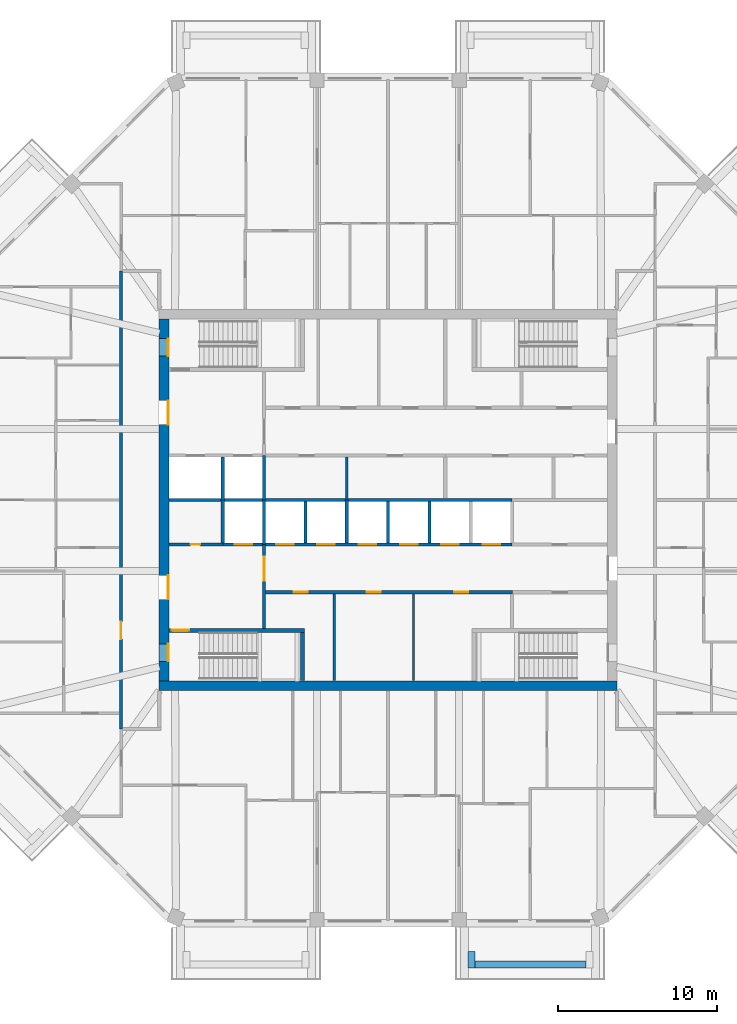
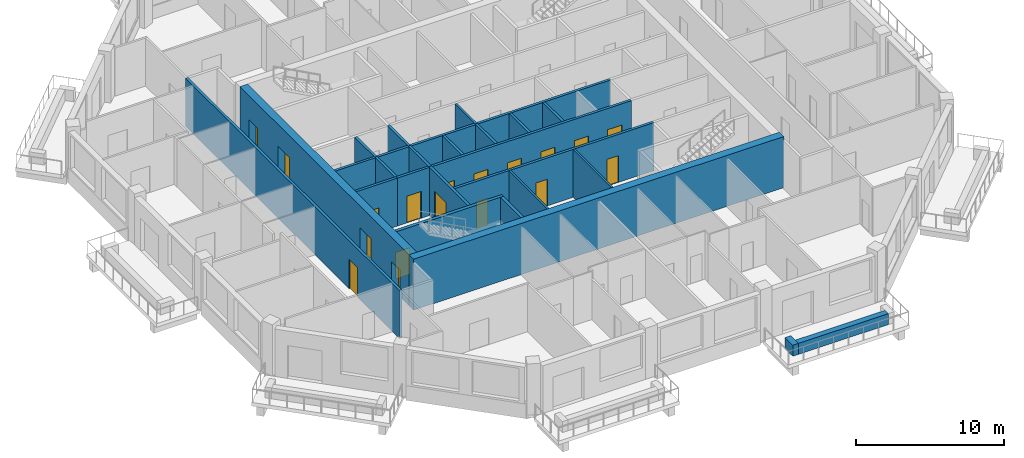
# One storey, part 4 of 12: 23 walls, 18 doors, 18 openings.
"""IFC4 building model written with IfcOpenShell, lengths in metres."""

from ifc_helpers import new_model, si_unit, direction, frame, frame_2d, origin, place, context, subcontext, project, spatial, rectangle, extrude, material, layer, layer_set, type_object, element, fill, save


model = new_model("IFC4")

# Units and contexts
model_context = context("Model", 3, precision=1e-05, world=origin(), true_north=direction((0.0, 1.0)))
body_context = subcontext(model_context, "Body", "Model", "MODEL_VIEW")
ifc_project = project(units=[si_unit("LENGTHUNIT", "METRE"), si_unit("AREAUNIT", "SQUARE_METRE"), si_unit("VOLUMEUNIT", "CUBIC_METRE"), si_unit("PLANEANGLEUNIT", "RADIAN"), si_unit("MASSUNIT", "GRAM", prefix="KILO")], contexts=[model_context])

# Site, building, storey
site_placement = place(None, origin())
site = spatial("IfcSite", under=ifc_project, at=site_placement, CompositionType="ELEMENT")
building_placement = place(site_placement, origin())
building = spatial("IfcBuilding", under=site, at=building_placement, Name="Msitu Wima Residences", CompositionType="ELEMENT")
storey_placement = place(building_placement, frame((0.0, 0.0, 255.89990234375)))
storey = spatial("IfcBuildingStorey", under=building, at=storey_placement, Name="L59", CompositionType="ELEMENT", Elevation=255.89990234375)

# Walls
ifc_material_1 = material(Name="Facing brick")
ifc_layer_1 = layer(ifc_material_1, 0.06494140625, Name="Facing brick")
ifc_material_2 = material(Name="Concrete C40/50", Category="concrete")
ifc_layer_2 = layer(ifc_material_2, 0.156005859375, Name="Concrete C40/50")
ifc_material_3 = material(Name="Waterproofing membrane")
ifc_layer_3 = layer(ifc_material_3, 0.00390625, Name="Waterproofing membrane")
ifc_material_4 = material(Name="Planting soil and planting")
ifc_layer_4 = layer(ifc_material_4, 0.22509765625, Name="Planting soil and planting")
ifc_layer_set_1 = layer_set([ifc_layer_1, ifc_layer_2, ifc_layer_3, ifc_layer_4], Name="Concrete C40/50")
wall_type_1 = type_object("IfcWallType", Name="Balcony planter PLANTER PL450", PredefinedType="USERDEFINED", material=ifc_layer_set_1)
wall_1_placement = place(storey_placement, frame((5.468505859375, -29.22509765625, 0.0), z_axis=(0.0, 0.0, 1.0), x_axis=(1.0, 0.0, 0.0)))
element("IfcWall", 1, at=wall_1_placement, inside=storey, type_object=wall_type_1, Name="Balcony planter S2 L59", ObjectType="PLANTER", PredefinedType="USERDEFINED", context=body_context, shape_type="SweptSolid", body=[
    extrude(rectangle(XDim=6.9873046875, YDim=0.449951171875, at=frame_2d((3.49365234375, 0.0))), origin(), (0.0, 0.0, 1.0), 0.900146484375),
])
wall_2_placement = place(storey_placement, frame((5.24365234375, -28.39990234375, 0.0), z_axis=(0.0, 0.0, 1.0), x_axis=(0.0, -1.0, 0.0)))
element("IfcWall", 2, at=wall_2_placement, inside=storey, type_object=wall_type_1, Name="Balcony planter S2 L59", ObjectType="PLANTER", PredefinedType="USERDEFINED", context=body_context, shape_type="SweptSolid", body=[
    extrude(rectangle(XDim=1.050048828125, YDim=0.449951171875, at=frame_2d((0.52490234375, 0.0))), origin(), (0.0, 0.0, 1.0), 0.900146484375),
])
ifc_material_5 = material(Name="Concrete C50/60", Category="concrete")
ifc_layer_5 = layer(ifc_material_5, 0.60009765625)
ifc_layer_set_2 = layer_set([ifc_layer_5], Name="Concrete C50/60")
wall_type_2 = type_object("IfcWallType", Name="Core wall CW600 C50/60", PredefinedType="SHEAR", material=ifc_layer_set_2)
wall_3_placement = place(storey_placement, frame((-14.39990234375, -11.699951171875, 0.0), z_axis=(0.0, 0.0, 1.0), x_axis=(1.0, 0.0, 0.0)))
element("IfcWall", 3, at=wall_3_placement, inside=storey, type_object=wall_type_2, Name="Core wall", PredefinedType="SHEAR", context=body_context, shape_type="SweptSolid", body=[
    extrude(rectangle(XDim=28.7998046875, YDim=0.60009765625, at=frame_2d((14.39990234375, 0.0))), origin(), (0.0, 0.0, 1.0), 4.2001953125),
])

# Wall, openings, doors
wall_4_placement = place(storey_placement, frame((-14.10009765625, -11.39990234375, 0.0), z_axis=(0.0, 0.0, 1.0), x_axis=(0.0, 1.0, 0.0)))
wall_4 = element("IfcWall", 4, at=wall_4_placement, inside=storey, type_object=wall_type_2, Name="Core wall", PredefinedType="SHEAR", context=body_context, shape_type="SweptSolid", body=[
    extrude(rectangle(XDim=22.7998046875, YDim=0.60009765625, at=frame_2d((11.39990234375, 0.0))), origin(), (0.0, 0.0, 1.0), 4.2001953125),
])
opening_1_placement = place(wall_4_placement, frame((20.449951171875, 0.0, 0.0)))
opening_1 = element("IfcOpeningElement", 5, at=opening_1_placement, cuts=wall_4, Name="Opening D57-59.084", PredefinedType="OPENING", context=body_context, shape_type="SweptSolid", body=[
    extrude(rectangle(XDim=1.10009765625, YDim=2.199951171875, at=frame_2d((0.550048828125, 1.10009765625))), frame((0.0, 0.31005859375, 0.0), z_axis=(0.0, -1.0, 0.0), x_axis=(1.0, 0.0, 0.0)), (0.0, 0.0, 1.0), 0.6201171875),
])
opening_2_placement = place(wall_4_placement, frame((1.25, 0.0, 0.0)))
opening_2 = element("IfcOpeningElement", 6, at=opening_2_placement, cuts=wall_4, Name="Opening D57-59.086", PredefinedType="OPENING", context=body_context, shape_type="SweptSolid", body=[
    extrude(rectangle(XDim=1.10009765625, YDim=2.199951171875, at=frame_2d((0.550048828125, 1.10009765625))), frame((0.0, 0.31005859375, 0.0), z_axis=(0.0, -1.0, 0.0), x_axis=(1.0, 0.0, 0.0)), (0.0, 0.0, 1.0), 0.6201171875),
])
opening_3_placement = place(wall_4_placement, frame((16.14990234375, 0.0, 0.0)))
opening_3 = element("IfcOpeningElement", 7, at=opening_3_placement, cuts=wall_4, Name="Opening D57-59.064", PredefinedType="OPENING", context=body_context, shape_type="SweptSolid", body=[
    extrude(rectangle(XDim=1.5, YDim=2.39990234375, at=frame_2d((0.75, 1.199951171875))), frame((0.0, 0.31005859375, 0.0), z_axis=(0.0, -1.0, 0.0), x_axis=(1.0, 0.0, 0.0)), (0.0, 0.0, 1.0), 0.6201171875),
])
opening_4_placement = place(wall_4_placement, frame((5.14990234375, 0.0, 0.0)))
opening_4 = element("IfcOpeningElement", 8, at=opening_4_placement, cuts=wall_4, Name="Opening D57-59.066", PredefinedType="OPENING", context=body_context, shape_type="SweptSolid", body=[
    extrude(rectangle(XDim=1.5, YDim=2.39990234375, at=frame_2d((0.75, 1.199951171875))), frame((0.0, 0.31005859375, 0.0), z_axis=(0.0, -1.0, 0.0), x_axis=(1.0, 0.0, 0.0)), (0.0, 0.0, 1.0), 0.6201171875),
])
ifc_material_6 = material(Name="Steel framed glazed door, fire resisting", Category="steel")
door_type_1 = type_object("IfcDoorType", Name="Lobby door D07 1500x2400", OperationType="DOUBLE_DOOR_SINGLE_SWING", PredefinedType="DOOR", material=ifc_material_6)
door_1_placement = place(opening_3_placement, origin())
door_1 = element("IfcDoor", 9, at=door_1_placement, inside=storey, type_object=door_type_1, Name="Lobby door", OperationType="DOUBLE_DOOR_SINGLE_SWING", OverallHeight=2.39990234375, OverallWidth=1.5, PredefinedType="DOOR", context=body_context, shape_type="SweptSolid", body=[
    extrude(rectangle(XDim=1.5, YDim=2.39990234375, at=frame_2d((0.75, 1.199951171875))), frame((0.0, -0.2451171875, 0.0), z_axis=(0.0, -1.0, 0.0), x_axis=(1.0, 0.0, 0.0)), (0.0, 0.0, 1.0), 0.050048828125),
])
fill(opening_3, door_1)
door_2_placement = place(opening_4_placement, origin())
door_2 = element("IfcDoor", 10, at=door_2_placement, inside=storey, type_object=door_type_1, Name="Lobby door", OperationType="DOUBLE_DOOR_SINGLE_SWING", OverallHeight=2.39990234375, OverallWidth=1.5, PredefinedType="DOOR", context=body_context, shape_type="SweptSolid", body=[
    extrude(rectangle(XDim=1.5, YDim=2.39990234375, at=frame_2d((0.75, 1.199951171875))), frame((0.0, -0.2451171875, 0.0), z_axis=(0.0, -1.0, 0.0), x_axis=(1.0, 0.0, 0.0)), (0.0, 0.0, 1.0), 0.050048828125),
])
fill(opening_4, door_2)
ifc_material_7 = material(Name="Steel door, fire resisting, panic bar", Category="steel")
door_type_2 = type_object("IfcDoorType", Name="Stair door D06 1100x2200", OperationType="SINGLE_SWING_LEFT", PredefinedType="DOOR", material=ifc_material_7)
door_3_placement = place(opening_1_placement, origin())
door_3 = element("IfcDoor", 11, at=door_3_placement, inside=storey, type_object=door_type_2, Name="Stair door", OperationType="SINGLE_SWING_RIGHT", OverallHeight=2.199951171875, OverallWidth=1.10009765625, PredefinedType="DOOR", context=body_context, shape_type="SweptSolid", body=[
    extrude(rectangle(XDim=1.10009765625, YDim=2.199951171875, at=frame_2d((0.550048828125, 1.10009765625))), frame((0.0, -0.2451171875, 0.0), z_axis=(0.0, -1.0, 0.0), x_axis=(1.0, 0.0, 0.0)), (0.0, 0.0, 1.0), 0.050048828125),
])
fill(opening_1, door_3)
door_4_placement = place(opening_2_placement, origin())
door_4 = element("IfcDoor", 12, at=door_4_placement, inside=storey, type_object=door_type_2, Name="Stair door", OperationType="SINGLE_SWING_LEFT", OverallHeight=2.199951171875, OverallWidth=1.10009765625, PredefinedType="DOOR", context=body_context, shape_type="SweptSolid", body=[
    extrude(rectangle(XDim=1.10009765625, YDim=2.199951171875, at=frame_2d((0.550048828125, 1.10009765625))), frame((0.0, -0.2451171875, 0.0), z_axis=(0.0, -1.0, 0.0), x_axis=(1.0, 0.0, 0.0)), (0.0, 0.0, 1.0), 0.050048828125),
])
fill(opening_2, door_4)

# Wall, opening, door
ifc_material_8 = material(Name="Plaster")
ifc_layer_6 = layer(ifc_material_8, 0.011962890625, Name="Plaster")
ifc_material_9 = material(Name="Concrete blockwork", Category="masonry")
ifc_layer_7 = layer(ifc_material_9, 0.176025390625, Name="Concrete blockwork")
ifc_layer_8 = layer(ifc_material_8, 0.011962890625, Name="Plaster")
ifc_layer_set_3 = layer_set([ifc_layer_6, ifc_layer_7, ifc_layer_8], Name="Concrete blockwork")
wall_type_3 = type_object("IfcWallType", Name="Corridor wall FW200", PredefinedType="PARTITIONING", material=ifc_layer_set_3)
wall_5_placement = place(storey_placement, frame((-16.800048828125, -14.39990234375, 0.0), z_axis=(0.0, 0.0, 1.0), x_axis=(0.0, 1.0, 0.0)))
wall_5 = element("IfcWall", 13, at=wall_5_placement, inside=storey, type_object=wall_type_3, Name="Corridor wall", PredefinedType="PARTITIONING", context=body_context, shape_type="SweptSolid", body=[
    extrude(rectangle(XDim=28.7998046875, YDim=0.199951171875, at=frame_2d((14.39990234375, 0.0))), origin(), (0.0, 0.0, 1.0), 3.9501953125),
])
opening_5_placement = place(wall_5_placement, frame((5.64990234375, 0.0, 0.0)))
opening_5 = element("IfcOpeningElement", 14, at=opening_5_placement, cuts=wall_5, Name="Opening D57-59.024", PredefinedType="OPENING", context=body_context, shape_type="SweptSolid", body=[
    extrude(rectangle(XDim=1.10009765625, YDim=2.39990234375, at=frame_2d((0.550048828125, 1.199951171875))), frame((0.0, 0.10986328125, 0.0), z_axis=(0.0, -1.0, 0.0), x_axis=(1.0, 0.0, 0.0)), (0.0, 0.0, 1.0), 0.219970703125),
])
ifc_material_10 = material(Name="Timber flush door, fire resisting, self-closing", Category="wood")
door_type_3 = type_object("IfcDoorType", Name="Flat entrance door D01 1100x2400", OperationType="SINGLE_SWING_LEFT", PredefinedType="DOOR", material=ifc_material_10)
door_5_placement = place(opening_5_placement, origin())
door_5 = element("IfcDoor", 15, at=door_5_placement, inside=storey, type_object=door_type_3, Name="Flat entrance door", OperationType="SINGLE_SWING_LEFT", OverallHeight=2.39990234375, OverallWidth=1.10009765625, PredefinedType="DOOR", context=body_context, shape_type="SweptSolid", body=[
    extrude(rectangle(XDim=1.10009765625, YDim=2.39990234375, at=frame_2d((0.550048828125, 1.199951171875))), frame((0.0, 0.02490234375, 0.0), z_axis=(0.0, -1.0, 0.0), x_axis=(1.0, 0.0, 0.0)), (0.0, 0.0, 1.0), 0.050048828125),
])
fill(opening_5, door_5)

wall_6_placement = place(storey_placement, frame((-7.800048828125, -8.074951171875, 0.0), z_axis=(0.0, 0.0, 1.0), x_axis=(0.0, 1.0, 0.0)))
wall_6 = element("IfcWall", 16, at=wall_6_placement, inside=storey, type_object=wall_type_3, Name="Corridor wall", PredefinedType="PARTITIONING", context=body_context, shape_type="SweptSolid", body=[
    extrude(rectangle(XDim=5.27490234375, YDim=0.199951171875, at=frame_2d((2.637451171875, 0.0))), origin(), (0.0, 0.0, 1.0), 3.9501953125),
])
opening_6_placement = place(wall_6_placement, frame((3.0, 0.0, 0.0)))
opening_6 = element("IfcOpeningElement", 17, at=opening_6_placement, cuts=wall_6, Name="Opening D57-59.067", PredefinedType="OPENING", context=body_context, shape_type="SweptSolid", body=[
    extrude(rectangle(XDim=1.5, YDim=2.39990234375, at=frame_2d((0.75, 1.199951171875))), frame((0.0, 0.10986328125, 0.0), z_axis=(0.0, -1.0, 0.0), x_axis=(1.0, 0.0, 0.0)), (0.0, 0.0, 1.0), 0.219970703125),
])
door_6_placement = place(opening_6_placement, origin())
door_6 = element("IfcDoor", 18, at=door_6_placement, inside=storey, type_object=door_type_1, Name="Lobby door", OperationType="DOUBLE_DOOR_SINGLE_SWING", OverallHeight=2.39990234375, OverallWidth=1.5, PredefinedType="DOOR", context=body_context, shape_type="SweptSolid", body=[
    extrude(rectangle(XDim=1.5, YDim=2.39990234375, at=frame_2d((0.75, 1.199951171875))), frame((0.0, 0.02490234375, 0.0), z_axis=(0.0, -1.0, 0.0), x_axis=(1.0, 0.0, 0.0)), (0.0, 0.0, 1.0), 0.050048828125),
])
fill(opening_6, door_6)

# Wall, openings, doors
wall_7_placement = place(storey_placement, frame((-7.699951171875, -5.800048828125, 0.0), z_axis=(0.0, 0.0, 1.0), x_axis=(1.0, 0.0, 0.0)))
wall_7 = element("IfcWall", 19, at=wall_7_placement, inside=storey, type_object=wall_type_3, Name="Corridor wall", PredefinedType="PARTITIONING", context=body_context, shape_type="SweptSolid", body=[
    extrude(rectangle(XDim=15.52001953125, YDim=0.199951171875, at=frame_2d((7.760009765625, 0.0))), origin(), (0.0, 0.0, 1.0), 3.9501953125),
])
opening_7_placement = place(wall_7_placement, frame((1.75, 0.0, 0.0)))
opening_7 = element("IfcOpeningElement", 20, at=opening_7_placement, cuts=wall_7, Name="Opening D57-59.073", PredefinedType="OPENING", context=body_context, shape_type="SweptSolid", body=[
    extrude(rectangle(XDim=0.89990234375, YDim=2.199951171875, at=frame_2d((0.449951171875, 1.10009765625))), frame((0.0, 0.10986328125, 0.0), z_axis=(0.0, -1.0, 0.0), x_axis=(1.0, 0.0, 0.0)), (0.0, 0.0, 1.0), 0.219970703125),
])
opening_8_placement = place(wall_7_placement, frame((6.35009765625, 0.0, 0.0)))
opening_8 = element("IfcOpeningElement", 21, at=opening_8_placement, cuts=wall_7, Name="Opening D57-59.074", PredefinedType="OPENING", context=body_context, shape_type="SweptSolid", body=[
    extrude(rectangle(XDim=0.89990234375, YDim=2.199951171875, at=frame_2d((0.449951171875, 1.10009765625))), frame((0.0, 0.10986328125, 0.0), z_axis=(0.0, -1.0, 0.0), x_axis=(1.0, 0.0, 0.0)), (0.0, 0.0, 1.0), 0.219970703125),
])
opening_9_placement = place(wall_7_placement, frame((11.85009765625, 0.0, 0.0)))
opening_9 = element("IfcOpeningElement", 22, at=opening_9_placement, cuts=wall_7, Name="Opening D57-59.075", PredefinedType="OPENING", context=body_context, shape_type="SweptSolid", body=[
    extrude(rectangle(XDim=0.89990234375, YDim=2.199951171875, at=frame_2d((0.449951171875, 1.10009765625))), frame((0.0, 0.10986328125, 0.0), z_axis=(0.0, -1.0, 0.0), x_axis=(1.0, 0.0, 0.0)), (0.0, 0.0, 1.0), 0.219970703125),
])
ifc_material_11 = material(Name="Timber flush door", Category="wood")
door_type_4 = type_object("IfcDoorType", Name="Service door D05 900x2200", OperationType="SINGLE_SWING_LEFT", PredefinedType="DOOR", material=ifc_material_11)
door_7_placement = place(opening_7_placement, origin())
door_7 = element("IfcDoor", 23, at=door_7_placement, inside=storey, type_object=door_type_4, Name="Service door", OperationType="SINGLE_SWING_LEFT", OverallHeight=2.199951171875, OverallWidth=0.89990234375, PredefinedType="DOOR", context=body_context, shape_type="SweptSolid", body=[
    extrude(rectangle(XDim=0.89990234375, YDim=2.199951171875, at=frame_2d((0.449951171875, 1.10009765625))), frame((0.0, 0.02490234375, 0.0), z_axis=(0.0, -1.0, 0.0), x_axis=(1.0, 0.0, 0.0)), (0.0, 0.0, 1.0), 0.050048828125),
])
fill(opening_7, door_7)
door_8_placement = place(opening_8_placement, origin())
door_8 = element("IfcDoor", 24, at=door_8_placement, inside=storey, type_object=door_type_4, Name="Service door", OperationType="SINGLE_SWING_RIGHT", OverallHeight=2.199951171875, OverallWidth=0.89990234375, PredefinedType="DOOR", context=body_context, shape_type="SweptSolid", body=[
    extrude(rectangle(XDim=0.89990234375, YDim=2.199951171875, at=frame_2d((0.449951171875, 1.10009765625))), frame((0.0, 0.02490234375, 0.0), z_axis=(0.0, -1.0, 0.0), x_axis=(1.0, 0.0, 0.0)), (0.0, 0.0, 1.0), 0.050048828125),
])
fill(opening_8, door_8)
door_9_placement = place(opening_9_placement, origin())
door_9 = element("IfcDoor", 25, at=door_9_placement, inside=storey, type_object=door_type_4, Name="Service door", OperationType="SINGLE_SWING_RIGHT", OverallHeight=2.199951171875, OverallWidth=0.89990234375, PredefinedType="DOOR", context=body_context, shape_type="SweptSolid", body=[
    extrude(rectangle(XDim=0.89990234375, YDim=2.199951171875, at=frame_2d((0.449951171875, 1.10009765625))), frame((0.0, 0.02490234375, 0.0), z_axis=(0.0, -1.0, 0.0), x_axis=(1.0, 0.0, 0.0)), (0.0, 0.0, 1.0), 0.050048828125),
])
fill(opening_9, door_9)

# Walls
ifc_layer_9 = layer(ifc_material_8, 0.011962890625, Name="Plaster")
ifc_layer_10 = layer(ifc_material_9, 0.1259765625, Name="Concrete blockwork")
ifc_layer_11 = layer(ifc_material_8, 0.011962890625, Name="Plaster")
ifc_layer_set_4 = layer_set([ifc_layer_9, ifc_layer_10, ifc_layer_11], Name="Concrete blockwork")
wall_type_4 = type_object("IfcWallType", Name="Partition PW150", PredefinedType="PARTITIONING", material=ifc_layer_set_4)
wall_8_placement = place(storey_placement, frame((-3.39990234375, -11.3701171875, 0.0), z_axis=(0.0, 0.0, 1.0), x_axis=(0.0, 1.0, 0.0)))
element("IfcWall", 26, at=wall_8_placement, inside=storey, type_object=wall_type_4, Name="Partition", PredefinedType="PARTITIONING", context=body_context, shape_type="SweptSolid", body=[
    extrude(rectangle(XDim=5.47021484375, YDim=0.14990234375, at=frame_2d((2.735107421875, 0.0))), origin(), (0.0, 0.0, 1.0), 3.9501953125),
])
wall_9_placement = place(storey_placement, frame((-2.60009765625, 0.0, 0.0), z_axis=(0.0, 0.0, 1.0), x_axis=(0.0, 1.0, 0.0)))
element("IfcWall", 27, at=wall_9_placement, inside=storey, type_object=wall_type_4, Name="Partition", PredefinedType="PARTITIONING", context=body_context, shape_type="SweptSolid", body=[
    extrude(rectangle(XDim=2.699951171875, YDim=0.14990234375, at=frame_2d((1.35009765625, 0.0))), origin(), (0.0, 0.0, 1.0), 3.9501953125),
])
wall_10_placement = place(storey_placement, frame((1.60009765625, -11.3701171875, 0.0), z_axis=(0.0, 0.0, 1.0), x_axis=(0.0, 1.0, 0.0)))
element("IfcWall", 28, at=wall_10_placement, inside=storey, type_object=wall_type_4, Name="Partition", PredefinedType="PARTITIONING", context=body_context, shape_type="SweptSolid", body=[
    extrude(rectangle(XDim=5.47021484375, YDim=0.14990234375, at=frame_2d((2.735107421875, 0.0))), origin(), (0.0, 0.0, 1.0), 3.9501953125),
])

# Wall, opening, door
ifc_layer_12 = layer(ifc_material_8, 0.011962890625, Name="Plaster")
ifc_material_12 = material(Name="Reinforced concrete blockwork", Category="masonry")
ifc_layer_13 = layer(ifc_material_12, 0.176025390625, Name="Reinforced concrete blockwork")
ifc_layer_14 = layer(ifc_material_8, 0.011962890625, Name="Plaster")
ifc_layer_set_5 = layer_set([ifc_layer_12, ifc_layer_13, ifc_layer_14], Name="Reinforced concrete blockwork")
wall_type_5 = type_object("IfcWallType", Name="Plant and riser wall PL200", PredefinedType="PARTITIONING", material=ifc_layer_set_5)
wall_11_placement = place(storey_placement, frame((-13.77001953125, -2.800048828125, 0.0), z_axis=(0.0, 0.0, 1.0), x_axis=(1.0, 0.0, 0.0)))
wall_11 = element("IfcWall", 29, at=wall_11_placement, inside=storey, type_object=wall_type_5, Name="Plant and riser wall", PredefinedType="PARTITIONING", context=body_context, shape_type="SweptSolid", body=[
    extrude(rectangle(XDim=3.3701171875, YDim=0.199951171875, at=frame_2d((1.68505859375, 0.0))), origin(), (0.0, 0.0, 1.0), 3.9501953125),
])
opening_10_placement = place(wall_11_placement, frame((1.35009765625, 0.0, 0.0)))
opening_10 = element("IfcOpeningElement", 30, at=opening_10_placement, cuts=wall_11, Name="Opening D57-59.083", PredefinedType="OPENING", context=body_context, shape_type="SweptSolid", body=[
    extrude(rectangle(XDim=0.60009765625, YDim=2.0, at=frame_2d((0.300048828125, 1.0))), frame((0.0, 0.10986328125, 0.0), z_axis=(0.0, -1.0, 0.0), x_axis=(1.0, 0.0, 0.0)), (0.0, 0.0, 1.0), 0.219970703125),
])
ifc_material_13 = material(Name="Steel access door, fire resisting", Category="steel")
door_type_5 = type_object("IfcDoorType", Name="Riser access door D08 600x2000", OperationType="SINGLE_SWING_LEFT", PredefinedType="DOOR", material=ifc_material_13)
door_10_placement = place(opening_10_placement, origin())
door_10 = element("IfcDoor", 31, at=door_10_placement, inside=storey, type_object=door_type_5, Name="Riser access door", OperationType="SINGLE_SWING_RIGHT", OverallHeight=2.0, OverallWidth=0.60009765625, PredefinedType="DOOR", context=body_context, shape_type="SweptSolid", body=[
    extrude(rectangle(XDim=0.60009765625, YDim=2.0, at=frame_2d((0.300048828125, 1.0))), frame((0.0, 0.02490234375, 0.0), z_axis=(0.0, -1.0, 0.0), x_axis=(1.0, 0.0, 0.0)), (0.0, 0.0, 1.0), 0.050048828125),
])
fill(opening_10, door_10)

# Walls
ifc_material_14 = material(Name="Fire-rated board")
ifc_layer_15 = layer(ifc_material_14, 0.02490234375, Name="Fire-rated board")
ifc_material_15 = material(Name="Light-gauge stud framing with mineral wool")
ifc_layer_16 = layer(ifc_material_15, 0.14990234375, Name="Light-gauge stud framing with mineral wool")
ifc_layer_17 = layer(ifc_material_14, 0.02490234375, Name="Fire-rated board")
ifc_layer_set_6 = layer_set([ifc_layer_15, ifc_layer_16, ifc_layer_17], Name="Light-gauge stud framing with mineral wool")
wall_type_6 = type_object("IfcWallType", Name="Shaft wall SH200", PredefinedType="PARTITIONING", material=ifc_layer_set_6)
wall_12_placement = place(storey_placement, frame((-13.77001953125, 0.0, 0.0), z_axis=(0.0, 0.0, 1.0), x_axis=(1.0, 0.0, 0.0)))
element("IfcWall", 32, at=wall_12_placement, inside=storey, type_object=wall_type_6, Name="Shaft wall", PredefinedType="PARTITIONING", context=body_context, shape_type="SweptSolid", body=[
    extrude(rectangle(XDim=21.570068359375, YDim=0.199951171875, at=frame_2d((10.78515625, 0.0))), origin(), (0.0, 0.0, 1.0), 3.9501953125),
])
wall_13_placement = place(storey_placement, frame((-10.39990234375, -2.699951171875, 0.0), z_axis=(0.0, 0.0, 1.0), x_axis=(0.0, 1.0, 0.0)))
element("IfcWall", 33, at=wall_13_placement, inside=storey, type_object=wall_type_6, Name="Shaft wall", PredefinedType="PARTITIONING", context=body_context, shape_type="SweptSolid", body=[
    extrude(rectangle(XDim=2.699951171875, YDim=0.199951171875, at=frame_2d((1.35009765625, 0.0))), origin(), (0.0, 0.0, 1.0), 3.9501953125),
])

# Wall, openings, doors
wall_14_placement = place(storey_placement, frame((-10.39990234375, -2.800048828125, 0.0), z_axis=(0.0, 0.0, 1.0), x_axis=(1.0, 0.0, 0.0)))
wall_14 = element("IfcWall", 34, at=wall_14_placement, inside=storey, type_object=wall_type_6, Name="Shaft wall", PredefinedType="PARTITIONING", context=body_context, shape_type="SweptSolid", body=[
    extrude(rectangle(XDim=18.199951171875, YDim=0.199951171875, at=frame_2d((9.10009765625, 0.0))), origin(), (0.0, 0.0, 1.0), 3.9501953125),
])
opening_11_placement = place(wall_14_placement, frame((0.75, 0.0, 0.0)))
opening_11 = element("IfcOpeningElement", 35, at=opening_11_placement, cuts=wall_14, Name="Opening LD", PredefinedType="OPENING", context=body_context, shape_type="SweptSolid", body=[
    extrude(rectangle(XDim=1.10009765625, YDim=2.199951171875, at=frame_2d((0.550048828125, 1.10009765625))), frame((0.0, 0.10986328125, 0.0), z_axis=(0.0, -1.0, 0.0), x_axis=(1.0, 0.0, 0.0)), (0.0, 0.0, 1.0), 0.219970703125),
])
opening_12_placement = place(wall_14_placement, frame((3.35009765625, 0.0, 0.0)))
opening_12 = element("IfcOpeningElement", 36, at=opening_12_placement, cuts=wall_14, Name="Opening LD", PredefinedType="OPENING", context=body_context, shape_type="SweptSolid", body=[
    extrude(rectangle(XDim=1.10009765625, YDim=2.199951171875, at=frame_2d((0.550048828125, 1.10009765625))), frame((0.0, 0.10986328125, 0.0), z_axis=(0.0, -1.0, 0.0), x_axis=(1.0, 0.0, 0.0)), (0.0, 0.0, 1.0), 0.219970703125),
])
opening_13_placement = place(wall_14_placement, frame((5.949951171875, 0.0, 0.0)))
opening_13 = element("IfcOpeningElement", 37, at=opening_13_placement, cuts=wall_14, Name="Opening LD", PredefinedType="OPENING", context=body_context, shape_type="SweptSolid", body=[
    extrude(rectangle(XDim=1.10009765625, YDim=2.199951171875, at=frame_2d((0.550048828125, 1.10009765625))), frame((0.0, 0.10986328125, 0.0), z_axis=(0.0, -1.0, 0.0), x_axis=(1.0, 0.0, 0.0)), (0.0, 0.0, 1.0), 0.219970703125),
])
opening_14_placement = place(wall_14_placement, frame((8.550048828125, 0.0, 0.0)))
opening_14 = element("IfcOpeningElement", 38, at=opening_14_placement, cuts=wall_14, Name="Opening LD", PredefinedType="OPENING", context=body_context, shape_type="SweptSolid", body=[
    extrude(rectangle(XDim=1.10009765625, YDim=2.199951171875, at=frame_2d((0.550048828125, 1.10009765625))), frame((0.0, 0.10986328125, 0.0), z_axis=(0.0, -1.0, 0.0), x_axis=(1.0, 0.0, 0.0)), (0.0, 0.0, 1.0), 0.219970703125),
])
opening_15_placement = place(wall_14_placement, frame((11.14990234375, 0.0, 0.0)))
opening_15 = element("IfcOpeningElement", 39, at=opening_15_placement, cuts=wall_14, Name="Opening LD", PredefinedType="OPENING", context=body_context, shape_type="SweptSolid", body=[
    extrude(rectangle(XDim=1.10009765625, YDim=2.199951171875, at=frame_2d((0.550048828125, 1.10009765625))), frame((0.0, 0.10986328125, 0.0), z_axis=(0.0, -1.0, 0.0), x_axis=(1.0, 0.0, 0.0)), (0.0, 0.0, 1.0), 0.219970703125),
])
opening_16_placement = place(wall_14_placement, frame((13.75, 0.0, 0.0)))
opening_16 = element("IfcOpeningElement", 40, at=opening_16_placement, cuts=wall_14, Name="Opening LD", PredefinedType="OPENING", context=body_context, shape_type="SweptSolid", body=[
    extrude(rectangle(XDim=1.10009765625, YDim=2.199951171875, at=frame_2d((0.550048828125, 1.10009765625))), frame((0.0, 0.10986328125, 0.0), z_axis=(0.0, -1.0, 0.0), x_axis=(1.0, 0.0, 0.0)), (0.0, 0.0, 1.0), 0.219970703125),
])
opening_17_placement = place(wall_14_placement, frame((16.35009765625, 0.0, 0.0)))
opening_17 = element("IfcOpeningElement", 41, at=opening_17_placement, cuts=wall_14, Name="Opening LD", PredefinedType="OPENING", context=body_context, shape_type="SweptSolid", body=[
    extrude(rectangle(XDim=1.10009765625, YDim=2.199951171875, at=frame_2d((0.550048828125, 1.10009765625))), frame((0.0, 0.10986328125, 0.0), z_axis=(0.0, -1.0, 0.0), x_axis=(1.0, 0.0, 0.0)), (0.0, 0.0, 1.0), 0.219970703125),
])
ifc_material_16 = material(Name="Stainless steel centre-opening landing door, rated", Category="steel")
door_type_6 = type_object("IfcDoorType", Name="Lift landing door LD 1100x2200", OperationType="DOUBLE_DOOR_SLIDING", PredefinedType="DOOR", material=ifc_material_16)
door_11_placement = place(opening_11_placement, origin())
door_11 = element("IfcDoor", 42, at=door_11_placement, inside=storey, type_object=door_type_6, Name="Lift landing door LD3", OperationType="DOUBLE_DOOR_SLIDING", OverallHeight=2.199951171875, OverallWidth=1.10009765625, PredefinedType="DOOR", context=body_context, shape_type="SweptSolid", body=[
    extrude(rectangle(XDim=1.10009765625, YDim=2.199951171875, at=frame_2d((0.550048828125, 1.10009765625))), frame((0.0, 0.02490234375, 0.0), z_axis=(0.0, -1.0, 0.0), x_axis=(1.0, 0.0, 0.0)), (0.0, 0.0, 1.0), 0.050048828125),
])
fill(opening_11, door_11)
door_12_placement = place(opening_12_placement, origin())
door_12 = element("IfcDoor", 43, at=door_12_placement, inside=storey, type_object=door_type_6, Name="Lift landing door LD5", OperationType="DOUBLE_DOOR_SLIDING", OverallHeight=2.199951171875, OverallWidth=1.10009765625, PredefinedType="DOOR", context=body_context, shape_type="SweptSolid", body=[
    extrude(rectangle(XDim=1.10009765625, YDim=2.199951171875, at=frame_2d((0.550048828125, 1.10009765625))), frame((0.0, 0.02490234375, 0.0), z_axis=(0.0, -1.0, 0.0), x_axis=(1.0, 0.0, 0.0)), (0.0, 0.0, 1.0), 0.050048828125),
])
fill(opening_12, door_12)
door_13_placement = place(opening_13_placement, origin())
door_13 = element("IfcDoor", 44, at=door_13_placement, inside=storey, type_object=door_type_6, Name="Lift landing door LD7", OperationType="DOUBLE_DOOR_SLIDING", OverallHeight=2.199951171875, OverallWidth=1.10009765625, PredefinedType="DOOR", context=body_context, shape_type="SweptSolid", body=[
    extrude(rectangle(XDim=1.10009765625, YDim=2.199951171875, at=frame_2d((0.550048828125, 1.10009765625))), frame((0.0, 0.02490234375, 0.0), z_axis=(0.0, -1.0, 0.0), x_axis=(1.0, 0.0, 0.0)), (0.0, 0.0, 1.0), 0.050048828125),
])
fill(opening_13, door_13)
door_14_placement = place(opening_14_placement, origin())
door_14 = element("IfcDoor", 45, at=door_14_placement, inside=storey, type_object=door_type_6, Name="Lift landing door LD9", OperationType="DOUBLE_DOOR_SLIDING", OverallHeight=2.199951171875, OverallWidth=1.10009765625, PredefinedType="DOOR", context=body_context, shape_type="SweptSolid", body=[
    extrude(rectangle(XDim=1.10009765625, YDim=2.199951171875, at=frame_2d((0.550048828125, 1.10009765625))), frame((0.0, 0.02490234375, 0.0), z_axis=(0.0, -1.0, 0.0), x_axis=(1.0, 0.0, 0.0)), (0.0, 0.0, 1.0), 0.050048828125),
])
fill(opening_14, door_14)
door_15_placement = place(opening_15_placement, origin())
door_15 = element("IfcDoor", 46, at=door_15_placement, inside=storey, type_object=door_type_6, Name="Lift landing door LD11", OperationType="DOUBLE_DOOR_SLIDING", OverallHeight=2.199951171875, OverallWidth=1.10009765625, PredefinedType="DOOR", context=body_context, shape_type="SweptSolid", body=[
    extrude(rectangle(XDim=1.10009765625, YDim=2.199951171875, at=frame_2d((0.550048828125, 1.10009765625))), frame((0.0, 0.02490234375, 0.0), z_axis=(0.0, -1.0, 0.0), x_axis=(1.0, 0.0, 0.0)), (0.0, 0.0, 1.0), 0.050048828125),
])
fill(opening_15, door_15)
door_16_placement = place(opening_16_placement, origin())
door_16 = element("IfcDoor", 47, at=door_16_placement, inside=storey, type_object=door_type_6, Name="Lift landing door LD13", OperationType="DOUBLE_DOOR_SLIDING", OverallHeight=2.199951171875, OverallWidth=1.10009765625, PredefinedType="DOOR", context=body_context, shape_type="SweptSolid", body=[
    extrude(rectangle(XDim=1.10009765625, YDim=2.199951171875, at=frame_2d((0.550048828125, 1.10009765625))), frame((0.0, 0.02490234375, 0.0), z_axis=(0.0, -1.0, 0.0), x_axis=(1.0, 0.0, 0.0)), (0.0, 0.0, 1.0), 0.050048828125),
])
fill(opening_16, door_16)
door_17_placement = place(opening_17_placement, origin())
door_17 = element("IfcDoor", 48, at=door_17_placement, inside=storey, type_object=door_type_6, Name="Lift landing door LD15", OperationType="DOUBLE_DOOR_SLIDING", OverallHeight=2.199951171875, OverallWidth=1.10009765625, PredefinedType="DOOR", context=body_context, shape_type="SweptSolid", body=[
    extrude(rectangle(XDim=1.10009765625, YDim=2.199951171875, at=frame_2d((0.550048828125, 1.10009765625))), frame((0.0, 0.02490234375, 0.0), z_axis=(0.0, -1.0, 0.0), x_axis=(1.0, 0.0, 0.0)), (0.0, 0.0, 1.0), 0.050048828125),
])
fill(opening_17, door_17)

# Walls
wall_15_placement = place(storey_placement, frame((-10.39990234375, 0.0, 0.0), z_axis=(0.0, 0.0, 1.0), x_axis=(0.0, 1.0, 0.0)))
element("IfcWall", 49, at=wall_15_placement, inside=storey, type_object=wall_type_6, Name="Shaft wall", PredefinedType="PARTITIONING", context=body_context, shape_type="SweptSolid", body=[
    extrude(rectangle(XDim=2.699951171875, YDim=0.199951171875, at=frame_2d((1.35009765625, 0.0))), origin(), (0.0, 0.0, 1.0), 3.9501953125),
])
for number, where, z_axis, x_axis, name in (
    (50, (-7.800048828125, -2.800048828125, 0.0), (0.0, 0.0, 1.0), (0.0, 1.0, 0.0), "Shaft wall"),
    (51, (-7.800048828125, 0.0, 0.0), (0.0, 0.0, 1.0), (0.0, 1.0, 0.0), "Shaft wall"),
):
    element("IfcWall", number, at=place(storey_placement, frame(where, z_axis=z_axis, x_axis=x_axis)), inside=storey, type_object=wall_type_6, Name=name, PredefinedType="PARTITIONING", context=body_context, shape_type="SweptSolid", body=[
        extrude(rectangle(XDim=2.800048828125, YDim=0.199951171875, at=frame_2d((1.39990234375, 0.0))), origin(), (0.0, 0.0, 1.0), 3.9501953125),
    ])
wall_16_placement = place(storey_placement, frame((-5.199951171875, -2.699951171875, 0.0), z_axis=(0.0, 0.0, 1.0), x_axis=(0.0, 1.0, 0.0)))
element("IfcWall", 52, at=wall_16_placement, inside=storey, type_object=wall_type_6, Name="Shaft wall", PredefinedType="PARTITIONING", context=body_context, shape_type="SweptSolid", body=[
    extrude(rectangle(XDim=2.599853515625, YDim=0.199951171875, at=frame_2d((1.2998046875, 0.0))), origin(), (0.0, 0.0, 1.0), 3.9501953125),
])
wall_17_placement = place(storey_placement, frame((-2.60009765625, -2.699951171875, 0.0), z_axis=(0.0, 0.0, 1.0), x_axis=(0.0, 1.0, 0.0)))
element("IfcWall", 53, at=wall_17_placement, inside=storey, type_object=wall_type_6, Name="Shaft wall", PredefinedType="PARTITIONING", context=body_context, shape_type="SweptSolid", body=[
    extrude(rectangle(XDim=2.699951171875, YDim=0.199951171875, at=frame_2d((1.35009765625, 0.0))), origin(), (0.0, 0.0, 1.0), 3.9501953125),
])
for number, where, z_axis, x_axis, name in (
    (54, (0.0, -2.699951171875, 0.0), (0.0, 0.0, 1.0), (0.0, 1.0, 0.0), "Shaft wall"),
    (55, (2.60009765625, -2.699951171875, 0.0), (0.0, 0.0, 1.0), (0.0, 1.0, 0.0), "Shaft wall"),
):
    element("IfcWall", number, at=place(storey_placement, frame(where, z_axis=z_axis, x_axis=x_axis)), inside=storey, type_object=wall_type_6, Name=name, PredefinedType="PARTITIONING", context=body_context, shape_type="SweptSolid", body=[
        extrude(rectangle(XDim=2.599853515625, YDim=0.199951171875, at=frame_2d((1.2998046875, 0.0))), origin(), (0.0, 0.0, 1.0), 3.9501953125),
    ])

# Wall, opening, door
ifc_layer_18 = layer(ifc_material_5, 0.25)
ifc_layer_set_7 = layer_set([ifc_layer_18], Name="Concrete C50/60")
wall_type_7 = type_object("IfcWallType", Name="Stair enclosure wall SW250", PredefinedType="SHEAR", material=ifc_layer_set_7)
wall_18_placement = place(storey_placement, frame((-13.77001953125, -8.199951171875, 0.0), z_axis=(0.0, 0.0, 1.0), x_axis=(1.0, 0.0, 0.0)))
wall_18 = element("IfcWall", 56, at=wall_18_placement, inside=storey, type_object=wall_type_7, Name="Stair enclosure wall", PredefinedType="SHEAR", context=body_context, shape_type="SweptSolid", body=[
    extrude(rectangle(XDim=8.4951171875, YDim=0.25, at=frame_2d((4.24755859375, 0.0))), origin(), (0.0, 0.0, 1.0), 3.9501953125),
])
opening_18_placement = place(wall_18_placement, frame((0.14990234375, 0.0, 0.0)))
opening_18 = element("IfcOpeningElement", 57, at=opening_18_placement, cuts=wall_18, Name="Opening D57-59.087", PredefinedType="OPENING", context=body_context, shape_type="SweptSolid", body=[
    extrude(rectangle(XDim=1.10009765625, YDim=2.199951171875, at=frame_2d((0.550048828125, 1.10009765625))), frame((0.0, 0.135009765625, 0.0), z_axis=(0.0, -1.0, 0.0), x_axis=(1.0, 0.0, 0.0)), (0.0, 0.0, 1.0), 0.27001953125),
])
door_18_placement = place(opening_18_placement, origin())
door_18 = element("IfcDoor", 58, at=door_18_placement, inside=storey, type_object=door_type_2, Name="Stair door", OperationType="SINGLE_SWING_RIGHT", OverallHeight=2.199951171875, OverallWidth=1.10009765625, PredefinedType="DOOR", context=body_context, shape_type="SweptSolid", body=[
    extrude(rectangle(XDim=1.10009765625, YDim=2.199951171875, at=frame_2d((0.550048828125, 1.10009765625))), frame((0.0, 0.02490234375, 0.0), z_axis=(0.0, -1.0, 0.0), x_axis=(1.0, 0.0, 0.0)), (0.0, 0.0, 1.0), 0.050048828125),
])
fill(opening_18, door_18)

# Wall
wall_19_placement = place(storey_placement, frame((-5.39990234375, -11.3701171875, 0.0), z_axis=(0.0, 0.0, 1.0), x_axis=(0.0, 1.0, 0.0)))
element("IfcWall", 59, at=wall_19_placement, inside=storey, type_object=wall_type_7, Name="Stair enclosure wall", PredefinedType="SHEAR", context=body_context, shape_type="SweptSolid", body=[
    extrude(rectangle(XDim=3.045166015625, YDim=0.25, at=frame_2d((1.5224609375, 0.0))), origin(), (0.0, 0.0, 1.0), 3.9501953125),
])

save(model, "model.ifc")
